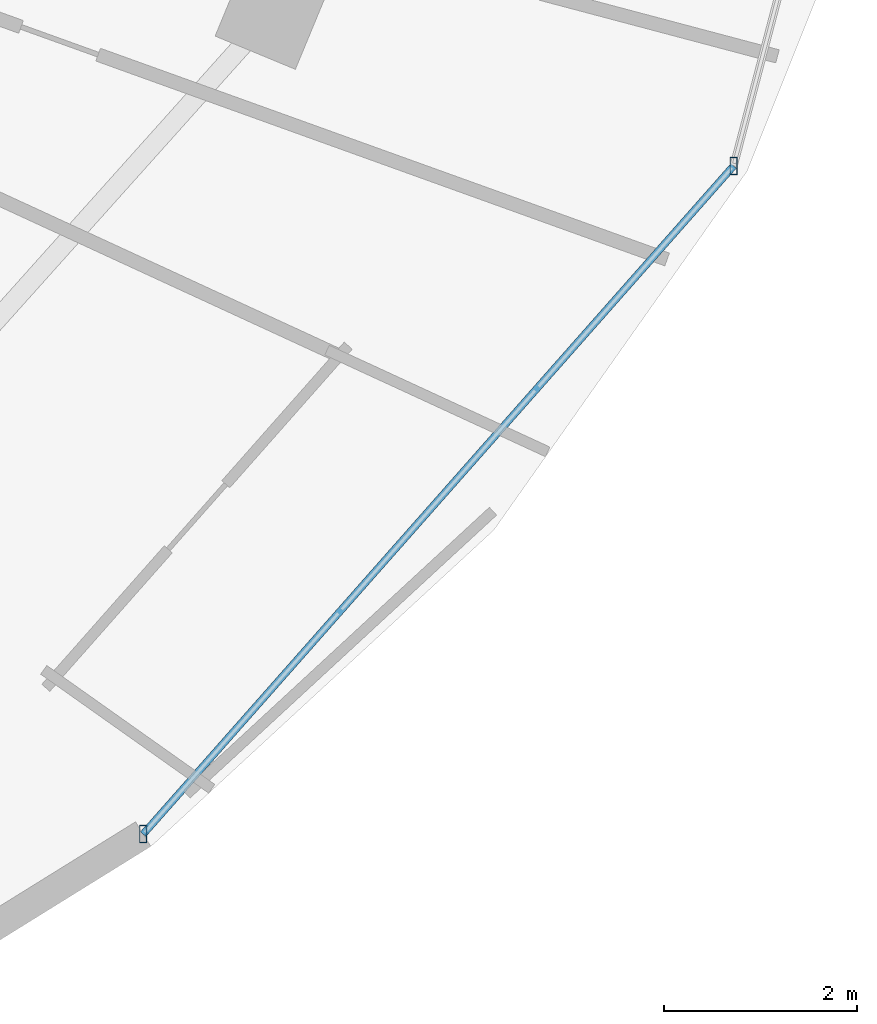
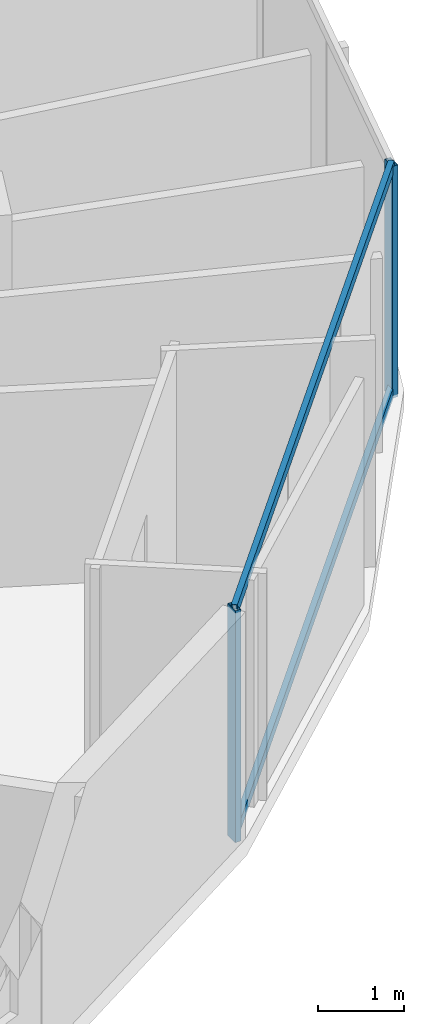
# One storey, part 13 of 34: 4 members, 1 element without a shape of its own.
"""IFC4 building model written with IfcOpenShell, lengths in metres."""

from ifc_helpers import new_model, si_unit, direction, frame, origin, origin_2d, place, context, subcontext, project, spatial, hollow_rectangle, extrude, material, material_profile, profile_set, type_object, element, aggregate, save


model = new_model("IFC4")

# Units and contexts
model_context = context("Model", 3, precision=1e-05, world=origin(), true_north=direction((0.0, 1.0)))
body_context = subcontext(model_context, "Body", "Model", "MODEL_VIEW")
ifc_project = project(units=[si_unit("LENGTHUNIT", "METRE"), si_unit("AREAUNIT", "SQUARE_METRE"), si_unit("VOLUMEUNIT", "CUBIC_METRE"), si_unit("PLANEANGLEUNIT", "RADIAN"), si_unit("MASSUNIT", "GRAM", prefix="KILO")], contexts=[model_context])

# Site, building, storey
site_placement = place(None, origin())
site = spatial("IfcSite", under=ifc_project, at=site_placement, CompositionType="ELEMENT")
building_placement = place(site_placement, origin())
building = spatial("IfcBuilding", under=site, at=building_placement, Name="Vorneva Point Tower", CompositionType="ELEMENT")
storey_placement = place(building_placement, frame((0.0, 0.0, 186.10009765625)))
storey = spatial("IfcBuildingStorey", under=building, at=storey_placement, Name="L50", CompositionType="ELEMENT", Elevation=186.10009765625)

# Curtain wall, members
ifc_material = material(Name="Pale anodised aluminium", Category="aluminium")
curtain_wall_type = type_object("IfcCurtainWallType", Name="CW-RES-SYS", PredefinedType="NOTDEFINED", material=ifc_material)
curtain_wall_placement = place(storey_placement, origin())
curtain_wall = element("IfcCurtainWall", 1, at=curtain_wall_placement, inside=storey, type_object=curtain_wall_type, Name="L50 Unitised Curtain Wall CW-L50-R04", PredefinedType="NOTDEFINED")
ifc_material_profile_1 = material_profile(ifc_material, hollow_rectangle(XDim=0.074951171875, YDim=0.179931640625, WallThickness=0.00390625, at=origin_2d()), Name="AL-MUL 180x75x4")
ifc_profile_set_1 = profile_set([ifc_material_profile_1], Name="Pale anodised aluminium")
member_type_1 = type_object("IfcMemberType", Name="CW-MUL-180", PredefinedType="MULLION", material=ifc_profile_set_1)
member_1_placement = place(storey_placement, frame((57.961669921875, 10.9033203125, -0.0400390625), z_axis=(0.0, 0.0, 1.0), x_axis=(1.0, 0.0, 0.0)))
member_1 = element("IfcMember", 2, at=member_1_placement, type_object=member_type_1, Name="CW-L50-R04 Mullion 01", PredefinedType="MULLION", context=body_context, shape_type="SweptSolid", body=[
    extrude(hollow_rectangle(XDim=0.074951171875, YDim=0.179931640625, WallThickness=0.00390625, at=origin_2d()), origin(), (0.0, 0.0, 1.0), 3.31005859375),
])
member_2_placement = place(storey_placement, frame((64.0810546875, 17.82958984375, -0.0400390625), z_axis=(0.0, 0.0, 1.0), x_axis=(1.0, 0.0, 0.0)))
member_2 = element("IfcMember", 3, at=member_2_placement, type_object=member_type_1, Name="CW-L50-R04 Mullion 02", PredefinedType="MULLION", context=body_context, shape_type="SweptSolid", body=[
    extrude(hollow_rectangle(XDim=0.074951171875, YDim=0.179931640625, WallThickness=0.00390625, at=origin_2d()), origin(), (0.0, 0.0, 1.0), 3.31005859375),
])
ifc_material_profile_2 = material_profile(ifc_material, hollow_rectangle(XDim=0.074951171875, YDim=0.14990234375, WallThickness=0.00390625, at=origin_2d()), Name="AL-TRN 150x75x4")
ifc_profile_set_2 = profile_set([ifc_material_profile_2], Name="Pale anodised aluminium")
member_type_2 = type_object("IfcMemberType", Name="CW-TRN-150", PredefinedType="USERDEFINED", material=ifc_profile_set_2)
member_3_placement = place(storey_placement, frame((57.961669921875, 10.9033203125, 0.02001953125), z_axis=(0.662106383869, 0.749409858782, 0.0), x_axis=(-0.749409858782, 0.662106383869, 0.0)))
member_3 = element("IfcMember", 4, at=member_3_placement, type_object=member_type_2, Name="CW-L50-R04 Transom 01.1", ObjectType="TRANSOM", PredefinedType="USERDEFINED", context=body_context, shape_type="SweptSolid", body=[
    extrude(hollow_rectangle(XDim=0.074951171875, YDim=0.14990234375, WallThickness=0.00390625, at=origin_2d()), origin(), (0.0, 0.0, 1.0), 9.2421875),
])
member_4_placement = place(storey_placement, frame((57.961669921875, 10.9033203125, 3.219970703125), z_axis=(0.662106383869, 0.749409858782, 0.0), x_axis=(-0.749409858782, 0.662106383869, 0.0)))
member_4 = element("IfcMember", 5, at=member_4_placement, type_object=member_type_2, Name="CW-L50-R04 Transom 01.2", ObjectType="TRANSOM", PredefinedType="USERDEFINED", context=body_context, shape_type="SweptSolid", body=[
    extrude(hollow_rectangle(XDim=0.074951171875, YDim=0.14990234375, WallThickness=0.00390625, at=origin_2d()), origin(), (0.0, 0.0, 1.0), 9.2421875),
])
aggregate(curtain_wall, [member_1, member_2, member_3, member_4])

save(model, "model.ifc")
